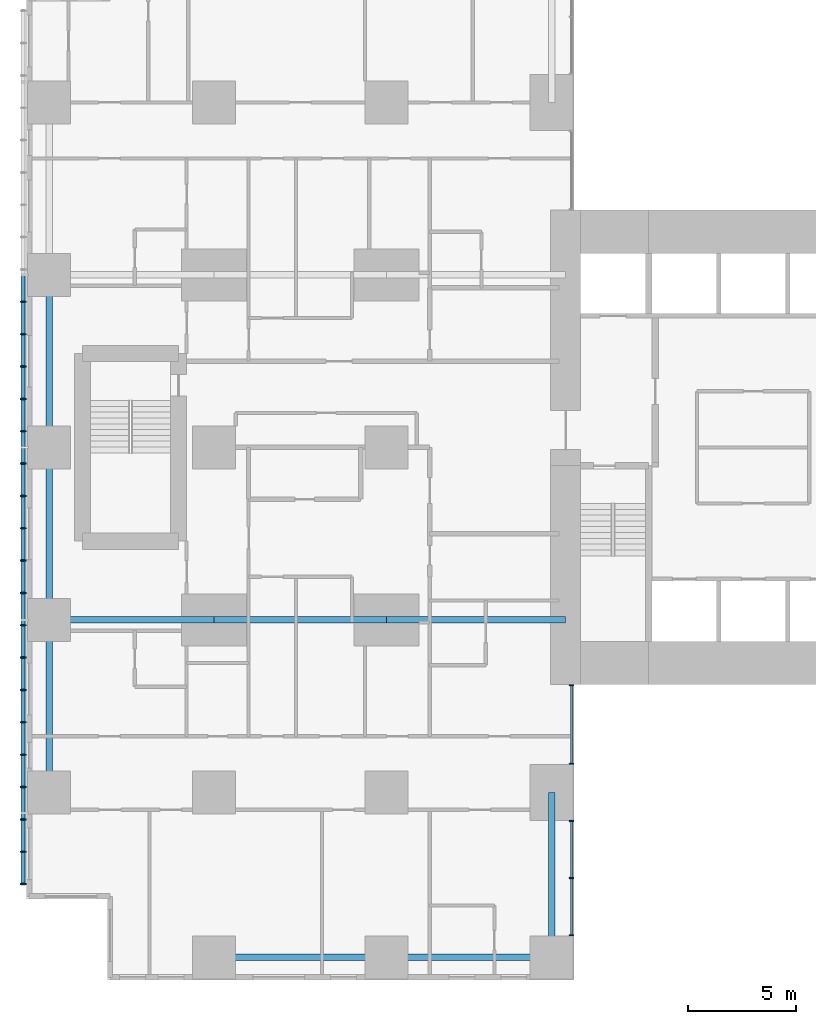
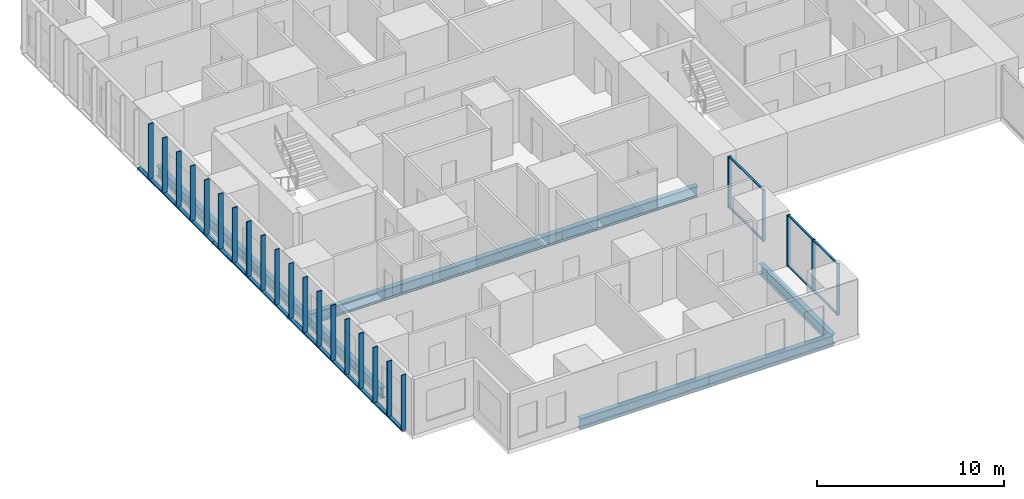
# One storey, part 2 of 21: 33 members, 9 beams, 2 elements without a shape of their own.
"""IFC4 building model written with IfcOpenShell, lengths in metres."""

from ifc_helpers import new_model, si_unit, direction, frame, origin, origin_2d, place, context, subcontext, project, spatial, rectangle, hollow_rectangle, i_section, extrude, material, layer, layer_set, material_profile, profile_set, type_object, element, aggregate, save


model = new_model("IFC4")

# Units and contexts
model_context = context("Model", 3, precision=1e-05, world=origin(), true_north=direction((0.0, 1.0)))
body_context = subcontext(model_context, "Body", "Model", "MODEL_VIEW")
ifc_project = project(units=[si_unit("LENGTHUNIT", "METRE"), si_unit("AREAUNIT", "SQUARE_METRE"), si_unit("VOLUMEUNIT", "CUBIC_METRE"), si_unit("PLANEANGLEUNIT", "RADIAN"), si_unit("MASSUNIT", "GRAM", prefix="KILO")], contexts=[model_context])

# Site, building, storey
site_placement = place(None, origin())
site = spatial("IfcSite", under=ifc_project, at=site_placement, CompositionType="ELEMENT")
building_placement = place(site_placement, origin())
building = spatial("IfcBuilding", under=site, at=building_placement, Name="Cleftline Residences", CompositionType="ELEMENT")
storey_placement = place(building_placement, frame((0.0, 0.0, 58.39990234375)))
storey = spatial("IfcBuildingStorey", under=building, at=storey_placement, Name="L14", CompositionType="ELEMENT", Elevation=58.39990234375)

# Members
ifc_material_1 = material(Name="Steel S355, hot-dip galvanised", Category="steel")
ifc_material_profile_1 = material_profile(ifc_material_1, hollow_rectangle(XDim=0.10009765625, YDim=0.199951171875, WallThickness=0.008056640625, InnerFilletRadius=0.008056640625, OuterFilletRadius=0.011962890625, at=origin_2d()))
ifc_profile_set_1 = profile_set([ifc_material_profile_1], Name="Steel S355, hot-dip galvanised")
member_type_1 = type_object("IfcMemberType", Name="BAGUETTE CARRIER RHS 200X100X8", PredefinedType="USERDEFINED", material=ifc_profile_set_1)
for number, where, z_axis, x_axis, name in (
    (1, (-0.85009765625, 32.0, -0.0498046875), (0.0, -1.0, 0.0), (0.0, 0.0, 1.0), "Baguette carrier"),
    (2, (-0.85009765625, 24.0, -0.0498046875), (0.0, -1.0, 0.0), (0.0, 0.0, 1.0), "Baguette carrier"),
):
    element("IfcMember", number, at=place(storey_placement, frame(where, z_axis=z_axis, x_axis=x_axis)), inside=storey, type_object=member_type_1, Name=name, ObjectType="BAGUETTE CARRIER", PredefinedType="USERDEFINED", context=body_context, shape_type="SweptSolid", body=[
        extrude(hollow_rectangle(XDim=0.10009765625, YDim=0.199951171875, WallThickness=0.008056640625, InnerFilletRadius=0.008056640625, OuterFilletRadius=0.011962890625, at=origin_2d()), origin(), (0.0, 0.0, 1.0), 8.0),
    ])
member_1_placement = place(storey_placement, frame((-0.85009765625, 16.0, -0.0498046875), z_axis=(0.0, -1.0, 0.0), x_axis=(0.0, 0.0, 1.0)))
element("IfcMember", 3, at=member_1_placement, inside=storey, type_object=member_type_1, Name="Baguette carrier", ObjectType="BAGUETTE CARRIER", PredefinedType="USERDEFINED", context=body_context, shape_type="SweptSolid", body=[
    extrude(hollow_rectangle(XDim=0.10009765625, YDim=0.199951171875, WallThickness=0.008056640625, InnerFilletRadius=0.008056640625, OuterFilletRadius=0.011962890625, at=origin_2d()), origin(), (0.0, 0.0, 1.0), 12.300048828125),
])

# Beams
ifc_material_2 = material(Name="Steel S355", Category="steel")
ifc_material_profile_2 = material_profile(ifc_material_2, i_section(OverallWidth=0.300048828125, OverallDepth=0.699951171875, WebThickness=0.01708984375, FlangeThickness=0.031982421875, FilletRadius=0.027099609375, at=origin_2d()))
ifc_profile_set_2 = profile_set([ifc_material_profile_2], Name="Steel S355")
beam_type_1 = type_object("IfcBeamType", Name="BEAM HEB 700", PredefinedType="BEAM", material=ifc_profile_set_2)
for number, where, z_axis, x_axis, name in (
    (4, (0.35009765625, 8.0, -0.599853515625), (0.0, 1.0, 0.0), (-1.0, 0.0, 0.0), "Edge beam"),
    (5, (0.35009765625, 16.0, -0.599853515625), (0.0, 1.0, 0.0), (-1.0, 0.0, 0.0), "Edge beam"),
    (6, (0.35009765625, 24.0, -0.599853515625), (0.0, 1.0, 0.0), (-1.0, 0.0, 0.0), "Edge beam"),
    (7, (8.0, 0.35009765625, -0.599853515625), (1.0, 0.0, 0.0), (0.0, 1.0, 0.0), "Edge beam"),
):
    element("IfcBeam", number, at=place(storey_placement, frame(where, z_axis=z_axis, x_axis=x_axis)), inside=storey, type_object=beam_type_1, Name=name, PredefinedType="BEAM", context=body_context, shape_type="SweptSolid", body=[
        extrude(i_section(OverallWidth=0.300048828125, OverallDepth=0.699951171875, WebThickness=0.01708984375, FlangeThickness=0.031982421875, FilletRadius=0.027099609375, at=origin_2d()), origin(), (0.0, 0.0, 1.0), 8.0),
    ])
for number, where, z_axis, x_axis, name in (
    (8, (16.0, 0.35009765625, -0.599853515625), (1.0, 0.0, 0.0), (0.0, 1.0, 0.0), "Edge beam"),
    (9, (23.64990234375, 0.35009765625, -0.599853515625), (0.0, 1.0, 0.0), (-1.0, 0.0, 0.0), "Edge beam"),
):
    element("IfcBeam", number, at=place(storey_placement, frame(where, z_axis=z_axis, x_axis=x_axis)), inside=storey, type_object=beam_type_1, Name=name, PredefinedType="BEAM", context=body_context, shape_type="SweptSolid", body=[
        extrude(i_section(OverallWidth=0.300048828125, OverallDepth=0.699951171875, WebThickness=0.01708984375, FlangeThickness=0.031982421875, FilletRadius=0.027099609375, at=origin_2d()), origin(), (0.0, 0.0, 1.0), 7.64990234375),
    ])
ifc_material_3 = material(Name="Steel S355", Category="steel")
ifc_material_profile_3 = material_profile(ifc_material_3, i_section(OverallWidth=0.303955078125, OverallDepth=0.716064453125, WebThickness=0.02099609375, FlangeThickness=0.0400390625, FilletRadius=0.027099609375, at=origin_2d()))
ifc_profile_set_3 = profile_set([ifc_material_profile_3], Name="Steel S355")
beam_type_2 = type_object("IfcBeamType", Name="BEAM HEM 700", PredefinedType="BEAM", material=ifc_profile_set_3)
beam_1_placement = place(storey_placement, frame((0.35009765625, 16.0, -0.60791015625), z_axis=(1.0, 0.0, 0.0), x_axis=(0.0, 1.0, 0.0)))
element("IfcBeam", 10, at=beam_1_placement, inside=storey, type_object=beam_type_2, Name="Band beam", PredefinedType="BEAM", context=body_context, shape_type="SweptSolid", body=[
    extrude(i_section(OverallWidth=0.303955078125, OverallDepth=0.716064453125, WebThickness=0.02099609375, FlangeThickness=0.0400390625, FilletRadius=0.027099609375, at=origin_2d()), origin(), (0.0, 0.0, 1.0), 7.64990234375),
])
beam_2_placement = place(storey_placement, frame((8.0, 16.0, -0.60791015625), z_axis=(1.0, 0.0, 0.0), x_axis=(0.0, 1.0, 0.0)))
element("IfcBeam", 11, at=beam_2_placement, inside=storey, type_object=beam_type_2, Name="Band beam", PredefinedType="BEAM", context=body_context, shape_type="SweptSolid", body=[
    extrude(i_section(OverallWidth=0.303955078125, OverallDepth=0.716064453125, WebThickness=0.02099609375, FlangeThickness=0.0400390625, FilletRadius=0.027099609375, at=origin_2d()), origin(), (0.0, 0.0, 1.0), 8.0),
])
beam_3_placement = place(storey_placement, frame((16.0, 16.0, -0.60791015625), z_axis=(1.0, 0.0, 0.0), x_axis=(0.0, 1.0, 0.0)))
element("IfcBeam", 12, at=beam_3_placement, inside=storey, type_object=beam_type_2, Name="Band beam", PredefinedType="BEAM", context=body_context, shape_type="SweptSolid", body=[
    extrude(i_section(OverallWidth=0.303955078125, OverallDepth=0.716064453125, WebThickness=0.02099609375, FlangeThickness=0.0400390625, FilletRadius=0.027099609375, at=origin_2d()), origin(), (0.0, 0.0, 1.0), 8.300048828125),
])

# Curtain wall, members
ifc_material_4 = material(Name="Aluminium framed curtain wall", Category="aluminium")
ifc_layer = layer(ifc_material_4, 0.199951171875)
ifc_layer_set = layer_set([ifc_layer], Name="CW1 CLEFT GLAZING")
curtain_wall_type = type_object("IfcCurtainWallType", Name="CW1 CLEFT GLAZING", PredefinedType="NOTDEFINED", material=ifc_layer_set)
curtain_wall_1_placement = place(storey_placement, origin())
curtain_wall_1 = element("IfcCurtainWall", 13, at=curtain_wall_1_placement, inside=storey, type_object=curtain_wall_type, Name="Curtain wall CW1", PredefinedType="NOTDEFINED")
ifc_material_5 = material(Name="Aluminium mullion", Category="aluminium")
ifc_material_profile_4 = material_profile(ifc_material_5, rectangle(XDim=0.199951171875, YDim=0.06005859375, at=origin_2d()))
ifc_profile_set_4 = profile_set([ifc_material_profile_4], Name="Aluminium mullion")
member_type_2 = type_object("IfcMemberType", Name="CW1 MULLION", PredefinedType="MULLION", material=ifc_profile_set_4)
member_2_placement = place(storey_placement, frame((24.574951171875, 1.3798828125, 0.0), z_axis=(0.0, 0.0, 1.0), x_axis=(-1.0, 0.0, 0.0)))
member_2 = element("IfcMember", 14, at=member_2_placement, type_object=member_type_2, Name="CW1 mullion 1", PredefinedType="MULLION", context=body_context, shape_type="SweptSolid", body=[
    extrude(rectangle(XDim=0.199951171875, YDim=0.06005859375, at=origin_2d()), origin(), (0.0, 0.0, 1.0), 3.35009765625),
])
member_3_placement = place(storey_placement, frame((24.574951171875, 4.02490234375, 0.0), z_axis=(0.0, 0.0, 1.0), x_axis=(-1.0, 0.0, 0.0)))
member_3 = element("IfcMember", 15, at=member_3_placement, type_object=member_type_2, Name="CW1 mullion 2", PredefinedType="MULLION", context=body_context, shape_type="SweptSolid", body=[
    extrude(rectangle(XDim=0.199951171875, YDim=0.06005859375, at=origin_2d()), origin(), (0.0, 0.0, 1.0), 3.35009765625),
])
member_4_placement = place(storey_placement, frame((24.574951171875, 6.669921875, 0.0), z_axis=(0.0, 0.0, 1.0), x_axis=(-1.0, 0.0, 0.0)))
member_4 = element("IfcMember", 16, at=member_4_placement, type_object=member_type_2, Name="CW1 mullion 3", PredefinedType="MULLION", context=body_context, shape_type="SweptSolid", body=[
    extrude(rectangle(XDim=0.199951171875, YDim=0.06005859375, at=origin_2d()), origin(), (0.0, 0.0, 1.0), 3.35009765625),
])

curtain_wall_2_placement = place(storey_placement, origin())
curtain_wall_2 = element("IfcCurtainWall", 17, at=curtain_wall_2_placement, inside=storey, type_object=curtain_wall_type, Name="Curtain wall CW1", PredefinedType="NOTDEFINED")
member_5_placement = place(storey_placement, frame((24.574951171875, 9.330078125, 0.0), z_axis=(0.0, 0.0, 1.0), x_axis=(-1.0, 0.0, 0.0)))
member_5 = element("IfcMember", 18, at=member_5_placement, type_object=member_type_2, Name="CW1 mullion 1", PredefinedType="MULLION", context=body_context, shape_type="SweptSolid", body=[
    extrude(rectangle(XDim=0.199951171875, YDim=0.06005859375, at=origin_2d()), origin(), (0.0, 0.0, 1.0), 3.35009765625),
])
member_6_placement = place(storey_placement, frame((24.574951171875, 12.969970703125, 0.0), z_axis=(0.0, 0.0, 1.0), x_axis=(-1.0, 0.0, 0.0)))
member_6 = element("IfcMember", 19, at=member_6_placement, type_object=member_type_2, Name="CW1 mullion 2", PredefinedType="MULLION", context=body_context, shape_type="SweptSolid", body=[
    extrude(rectangle(XDim=0.199951171875, YDim=0.06005859375, at=origin_2d()), origin(), (0.0, 0.0, 1.0), 3.35009765625),
])

# Member
ifc_material_6 = material(Name="Aluminium transom", Category="aluminium")
ifc_material_profile_5 = material_profile(ifc_material_6, rectangle(XDim=0.1201171875, YDim=0.06005859375, at=origin_2d()))
ifc_profile_set_5 = profile_set([ifc_material_profile_5], Name="Aluminium transom")
member_type_3 = type_object("IfcMemberType", Name="CW1 TRANSOM", PredefinedType="USERDEFINED", material=ifc_profile_set_5)
member_7_placement = place(storey_placement, frame((24.574951171875, 1.409912109375, 0.030029296875), z_axis=(0.0, 1.0, 0.0), x_axis=(-1.0, 0.0, 0.0)))
member_7 = element("IfcMember", 20, at=member_7_placement, type_object=member_type_3, Name="CW1 transom 1.1", ObjectType="TRANSOM", PredefinedType="USERDEFINED", context=body_context, shape_type="SweptSolid", body=[
    extrude(rectangle(XDim=0.1201171875, YDim=0.06005859375, at=origin_2d()), origin(), (0.0, 0.0, 1.0), 2.585205078125),
])

member_8_placement = place(storey_placement, frame((24.574951171875, 1.409912109375, 3.320068359375), z_axis=(0.0, 1.0, 0.0), x_axis=(-1.0, 0.0, 0.0)))
member_8 = element("IfcMember", 21, at=member_8_placement, type_object=member_type_3, Name="CW1 transom 1.2", ObjectType="TRANSOM", PredefinedType="USERDEFINED", context=body_context, shape_type="SweptSolid", body=[
    extrude(rectangle(XDim=0.1201171875, YDim=0.06005859375, at=origin_2d()), origin(), (0.0, 0.0, 1.0), 2.585205078125),
])

member_9_placement = place(storey_placement, frame((24.574951171875, 4.054931640625, 0.030029296875), z_axis=(0.0, 1.0, 0.0), x_axis=(-1.0, 0.0, 0.0)))
member_9 = element("IfcMember", 22, at=member_9_placement, type_object=member_type_3, Name="CW1 transom 2.1", ObjectType="TRANSOM", PredefinedType="USERDEFINED", context=body_context, shape_type="SweptSolid", body=[
    extrude(rectangle(XDim=0.1201171875, YDim=0.06005859375, at=origin_2d()), origin(), (0.0, 0.0, 1.0), 2.5849609375),
])

member_10_placement = place(storey_placement, frame((24.574951171875, 4.054931640625, 3.320068359375), z_axis=(0.0, 1.0, 0.0), x_axis=(-1.0, 0.0, 0.0)))
member_10 = element("IfcMember", 23, at=member_10_placement, type_object=member_type_3, Name="CW1 transom 2.2", ObjectType="TRANSOM", PredefinedType="USERDEFINED", context=body_context, shape_type="SweptSolid", body=[
    extrude(rectangle(XDim=0.1201171875, YDim=0.06005859375, at=origin_2d()), origin(), (0.0, 0.0, 1.0), 2.5849609375),
])

aggregate(curtain_wall_1, [member_2, member_3, member_4, member_7, member_8, member_9, member_10])

member_11_placement = place(storey_placement, frame((24.574951171875, 9.360107421875, 0.030029296875), z_axis=(0.0, 1.0, 0.0), x_axis=(-1.0, 0.0, 0.0)))
member_11 = element("IfcMember", 24, at=member_11_placement, type_object=member_type_3, Name="CW1 transom 1.1", ObjectType="TRANSOM", PredefinedType="USERDEFINED", context=body_context, shape_type="SweptSolid", body=[
    extrude(rectangle(XDim=0.1201171875, YDim=0.06005859375, at=origin_2d()), origin(), (0.0, 0.0, 1.0), 3.579833984375),
])

member_12_placement = place(storey_placement, frame((24.574951171875, 9.360107421875, 3.320068359375), z_axis=(0.0, 1.0, 0.0), x_axis=(-1.0, 0.0, 0.0)))
member_12 = element("IfcMember", 25, at=member_12_placement, type_object=member_type_3, Name="CW1 transom 1.2", ObjectType="TRANSOM", PredefinedType="USERDEFINED", context=body_context, shape_type="SweptSolid", body=[
    extrude(rectangle(XDim=0.1201171875, YDim=0.06005859375, at=origin_2d()), origin(), (0.0, 0.0, 1.0), 3.579833984375),
])

aggregate(curtain_wall_2, [member_5, member_6, member_11, member_12])

# Members
ifc_material_7 = material(Name="Extruded terracotta", Category="masonry")
ifc_material_profile_6 = material_profile(ifc_material_7, rectangle(XDim=0.06005859375, YDim=0.300048828125, at=origin_2d()))
ifc_profile_set_6 = profile_set([ifc_material_profile_6], Name="Extruded terracotta")
member_type_4 = type_object("IfcMemberType", Name="TERRACOTTA BAGUETTE 60X300", PredefinedType="USERDEFINED", material=ifc_profile_set_6)
for number, where, z_axis, x_axis, name in (
    (26, (-0.85009765625, 30.75, 0.0), (0.0, 0.0, 1.0), (0.0, 1.0, 0.0), "Terracotta baguette"),
    (27, (-0.85009765625, 29.25, 0.0), (0.0, 0.0, 1.0), (0.0, 1.0, 0.0), "Terracotta baguette"),
    (28, (-0.85009765625, 27.75, 0.0), (0.0, 0.0, 1.0), (0.0, 1.0, 0.0), "Terracotta baguette"),
    (29, (-0.85009765625, 26.25, 0.0), (0.0, 0.0, 1.0), (0.0, 1.0, 0.0), "Terracotta baguette"),
    (30, (-0.85009765625, 24.75, 0.0), (0.0, 0.0, 1.0), (0.0, 1.0, 0.0), "Terracotta baguette"),
    (31, (-0.85009765625, 23.25, 0.0), (0.0, 0.0, 1.0), (0.0, 1.0, 0.0), "Terracotta baguette"),
    (32, (-0.85009765625, 21.75, 0.0), (0.0, 0.0, 1.0), (0.0, 1.0, 0.0), "Terracotta baguette"),
    (33, (-0.85009765625, 20.25, 0.0), (0.0, 0.0, 1.0), (0.0, 1.0, 0.0), "Terracotta baguette"),
    (34, (-0.85009765625, 18.75, 0.0), (0.0, 0.0, 1.0), (0.0, 1.0, 0.0), "Terracotta baguette"),
    (35, (-0.85009765625, 17.25, 0.0), (0.0, 0.0, 1.0), (0.0, 1.0, 0.0), "Terracotta baguette"),
    (36, (-0.85009765625, 15.75, 0.0), (0.0, 0.0, 1.0), (0.0, 1.0, 0.0), "Terracotta baguette"),
    (37, (-0.85009765625, 14.25, 0.0), (0.0, 0.0, 1.0), (0.0, 1.0, 0.0), "Terracotta baguette"),
    (38, (-0.85009765625, 12.75, 0.0), (0.0, 0.0, 1.0), (0.0, 1.0, 0.0), "Terracotta baguette"),
    (39, (-0.85009765625, 11.25, 0.0), (0.0, 0.0, 1.0), (0.0, 1.0, 0.0), "Terracotta baguette"),
    (40, (-0.85009765625, 9.75, 0.0), (0.0, 0.0, 1.0), (0.0, 1.0, 0.0), "Terracotta baguette"),
    (41, (-0.85009765625, 8.25, 0.0), (0.0, 0.0, 1.0), (0.0, 1.0, 0.0), "Terracotta baguette"),
    (42, (-0.85009765625, 6.75, 0.0), (0.0, 0.0, 1.0), (0.0, 1.0, 0.0), "Terracotta baguette"),
    (43, (-0.85009765625, 5.25, 0.0), (0.0, 0.0, 1.0), (0.0, 1.0, 0.0), "Terracotta baguette"),
    (44, (-0.85009765625, 3.75, 0.0), (0.0, 0.0, 1.0), (0.0, 1.0, 0.0), "Terracotta baguette"),
):
    element("IfcMember", number, at=place(storey_placement, frame(where, z_axis=z_axis, x_axis=x_axis)), inside=storey, type_object=member_type_4, Name=name, ObjectType="BAGUETTE", PredefinedType="USERDEFINED", context=body_context, shape_type="SweptSolid", body=[
        extrude(rectangle(XDim=0.06005859375, YDim=0.300048828125, at=origin_2d()), origin(), (0.0, 0.0, 1.0), 3.60009765625),
    ])

save(model, "model.ifc")
